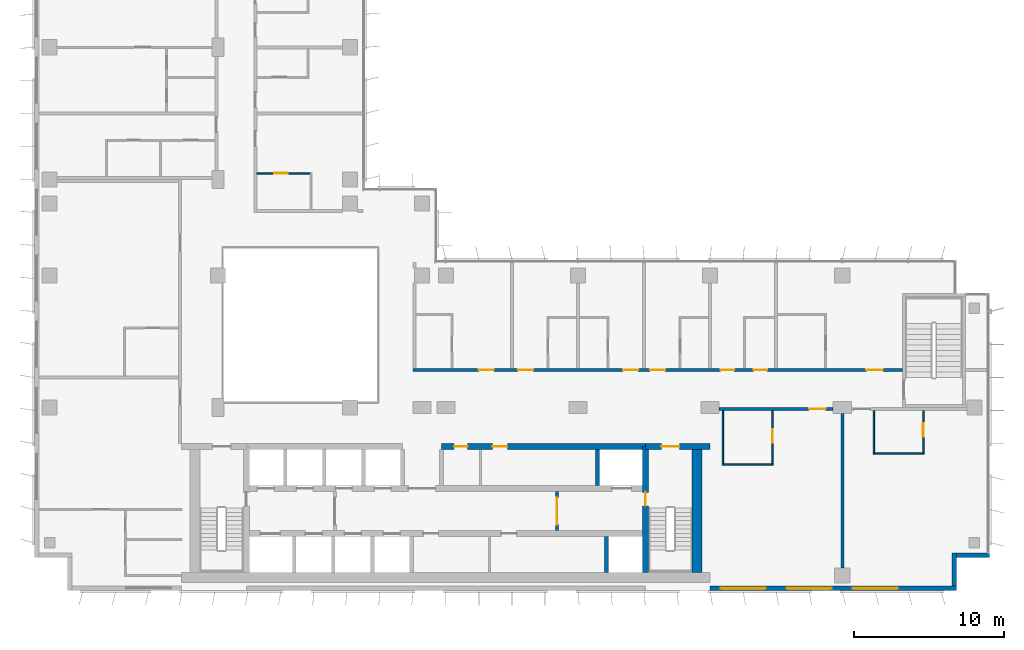
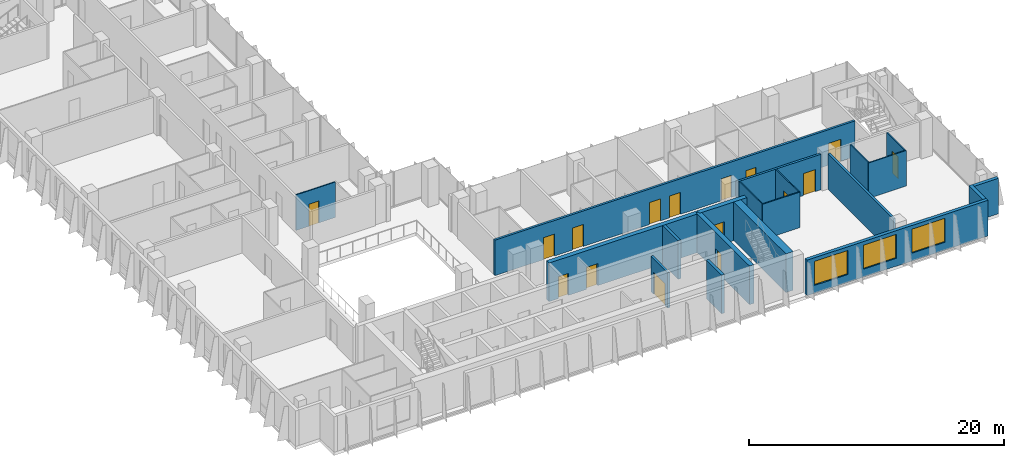
# One storey, part 14 of 21: 20 walls, 16 doors, 3 windows, 19 openings.
"""IFC4 building model written with IfcOpenShell, lengths in metres."""

from ifc_helpers import new_model, si_unit, direction, frame, frame_2d, origin, place, context, subcontext, project, spatial, rectangle, extrude, material, layer, layer_set, type_object, element, fill, save


model = new_model("IFC4")

# Units and contexts
model_context = context("Model", 3, precision=1e-05, world=origin(), true_north=direction((0.0, 1.0)))
body_context = subcontext(model_context, "Body", "Model", "MODEL_VIEW")
ifc_project = project(units=[si_unit("LENGTHUNIT", "METRE"), si_unit("AREAUNIT", "SQUARE_METRE"), si_unit("VOLUMEUNIT", "CUBIC_METRE"), si_unit("PLANEANGLEUNIT", "RADIAN"), si_unit("MASSUNIT", "GRAM", prefix="KILO")], contexts=[model_context])

# Site, building, storey
site_placement = place(None, origin())
site = spatial("IfcSite", under=ifc_project, at=site_placement, CompositionType="ELEMENT")
building_placement = place(site_placement, origin())
building = spatial("IfcBuilding", under=site, at=building_placement, Name="Kemantara Hotel Tower", CompositionType="ELEMENT")
storey_placement = place(building_placement, frame((0.0, 0.0, 167.89990234375)))
storey = spatial("IfcBuildingStorey", under=building, at=storey_placement, Name="L41", CompositionType="ELEMENT", Elevation=167.89990234375)

# Wall, openings, windows
ifc_material_1 = material(Name="Bronze anodised aluminium cladding on insulated steel stud wall", Category="steel")
ifc_layer_1 = layer(ifc_material_1, 0.300048828125)
ifc_layer_set_1 = layer_set([ifc_layer_1], Name="Bronze anodised aluminium cladding on insulated steel stud wall")
wall_type_1 = type_object("IfcWallType", Name="BRONZE METAL-CLAD EXTERNAL WALL 300", PredefinedType="STANDARD", material=ifc_layer_set_1)
wall_1_placement = place(storey_placement, frame((45.0, 0.14990234375, 0.0), z_axis=(0.0, 0.0, 1.0), x_axis=(1.0, 0.0, 0.0)))
wall_1 = element("IfcWall", 1, at=wall_1_placement, inside=storey, type_object=wall_type_1, Name="EXTERNAL WALL L41 T3-R08-3", PredefinedType="STANDARD", context=body_context, shape_type="SweptSolid", body=[
    extrude(rectangle(XDim=16.39990234375, YDim=0.300048828125, at=frame_2d((8.199951171875, 0.0))), origin(), (0.0, 0.0, 1.0), 3.400146484375),
])
opening_1_placement = place(wall_1_placement, frame((0.699951171875, 0.0, 0.75)))
opening_1 = element("IfcOpeningElement", 2, at=opening_1_placement, cuts=wall_1, Name="Opening W1", PredefinedType="OPENING", context=body_context, shape_type="SweptSolid", body=[
    extrude(rectangle(XDim=3.0, YDim=2.300048828125, at=frame_2d((1.5, 1.14990234375))), frame((0.0, 0.159912109375, 0.0), z_axis=(0.0, -1.0, 0.0), x_axis=(1.0, 0.0, 0.0)), (0.0, 0.0, 1.0), 0.320068359375),
])
opening_2_placement = place(wall_1_placement, frame((5.10009765625, 0.0, 0.75)))
opening_2 = element("IfcOpeningElement", 3, at=opening_2_placement, cuts=wall_1, Name="Opening W1", PredefinedType="OPENING", context=body_context, shape_type="SweptSolid", body=[
    extrude(rectangle(XDim=3.0, YDim=2.300048828125, at=frame_2d((1.5, 1.14990234375))), frame((0.0, 0.159912109375, 0.0), z_axis=(0.0, -1.0, 0.0), x_axis=(1.0, 0.0, 0.0)), (0.0, 0.0, 1.0), 0.320068359375),
])
opening_3_placement = place(wall_1_placement, frame((9.5, 0.0, 0.75)))
opening_3 = element("IfcOpeningElement", 4, at=opening_3_placement, cuts=wall_1, Name="Opening W1", PredefinedType="OPENING", context=body_context, shape_type="SweptSolid", body=[
    extrude(rectangle(XDim=3.0, YDim=2.300048828125, at=frame_2d((1.5, 1.14990234375))), frame((0.0, 0.159912109375, 0.0), z_axis=(0.0, -1.0, 0.0), x_axis=(1.0, 0.0, 0.0)), (0.0, 0.0, 1.0), 0.320068359375),
])
ifc_material_2 = material(Name="Low-E tinted double insulated glass in bronze anodised aluminium frame", Category="aluminium")
window_type = type_object("IfcWindowType", Name="CHICAGO WINDOW, TRIPLE PANEL 3000x2300", PartitioningType="TRIPLE_PANEL_VERTICAL", PredefinedType="WINDOW", material=ifc_material_2)
window_1_placement = place(opening_1_placement, origin())
window_1 = element("IfcWindow", 5, at=window_1_placement, inside=storey, type_object=window_type, Name="CHICAGO WINDOW L41 T3-R08-450", OverallHeight=2.300048828125, OverallWidth=3.0, PartitioningType="SINGLE_PANEL", PredefinedType="WINDOW", context=body_context, shape_type="SweptSolid", body=[
    extrude(rectangle(XDim=3.0, YDim=2.300048828125, at=frame_2d((1.5, 1.14990234375))), frame((0.0, 0.030029296875, 0.0), z_axis=(0.0, -1.0, 0.0), x_axis=(1.0, 0.0, 0.0)), (0.0, 0.0, 1.0), 0.06005859375),
])
fill(opening_1, window_1)
window_2_placement = place(opening_2_placement, origin())
window_2 = element("IfcWindow", 6, at=window_2_placement, inside=storey, type_object=window_type, Name="CHICAGO WINDOW L41 T3-R08-494", OverallHeight=2.300048828125, OverallWidth=3.0, PartitioningType="SINGLE_PANEL", PredefinedType="WINDOW", context=body_context, shape_type="SweptSolid", body=[
    extrude(rectangle(XDim=3.0, YDim=2.300048828125, at=frame_2d((1.5, 1.14990234375))), frame((0.0, 0.030029296875, 0.0), z_axis=(0.0, -1.0, 0.0), x_axis=(1.0, 0.0, 0.0)), (0.0, 0.0, 1.0), 0.06005859375),
])
fill(opening_2, window_2)
window_3_placement = place(opening_3_placement, origin())
window_3 = element("IfcWindow", 7, at=window_3_placement, inside=storey, type_object=window_type, Name="CHICAGO WINDOW L41 T3-R08-538", OverallHeight=2.300048828125, OverallWidth=3.0, PartitioningType="SINGLE_PANEL", PredefinedType="WINDOW", context=body_context, shape_type="SweptSolid", body=[
    extrude(rectangle(XDim=3.0, YDim=2.300048828125, at=frame_2d((1.5, 1.14990234375))), frame((0.0, 0.030029296875, 0.0), z_axis=(0.0, -1.0, 0.0), x_axis=(1.0, 0.0, 0.0)), (0.0, 0.0, 1.0), 0.06005859375),
])
fill(opening_3, window_3)

# Walls
wall_2_placement = place(storey_placement, frame((61.25, 0.300048828125, 0.0), z_axis=(0.0, 0.0, 1.0), x_axis=(0.0, 1.0, 0.0)))
element("IfcWall", 8, at=wall_2_placement, inside=storey, type_object=wall_type_1, Name="EXTERNAL WALL L41 T3-R09", PredefinedType="STANDARD", context=body_context, shape_type="SweptSolid", body=[
    extrude(rectangle(XDim=2.199951171875, YDim=0.300048828125, at=frame_2d((1.10009765625, 0.0))), origin(), (0.0, 0.0, 1.0), 3.400146484375),
])
wall_3_placement = place(storey_placement, frame((61.39990234375, 2.35009765625, 0.0), z_axis=(0.0, 0.0, 1.0), x_axis=(1.0, 0.0, 0.0)))
element("IfcWall", 9, at=wall_3_placement, inside=storey, type_object=wall_type_1, Name="EXTERNAL WALL L41 T3-R10", PredefinedType="STANDARD", context=body_context, shape_type="SweptSolid", body=[
    extrude(rectangle(XDim=2.2001953125, YDim=0.300048828125, at=frame_2d((1.10009765625, 0.0))), origin(), (0.0, 0.0, 1.0), 3.400146484375),
])
ifc_material_3 = material(Name="Concrete fc 60 MPa", Category="concrete")
ifc_layer_2 = layer(ifc_material_3, 0.25)
ifc_layer_set_2 = layer_set([ifc_layer_2], Name="Concrete fc 60 MPa")
wall_type_2 = type_object("IfcWallType", Name="CORE WALL 250 FC60", PredefinedType="SHEAR", material=ifc_layer_set_2)
wall_4_placement = place(storey_placement, frame((38.10009765625, 1.199951171875, 0.0), z_axis=(0.0, 0.0, 1.0), x_axis=(0.0, 1.0, 0.0)))
element("IfcWall", 10, at=wall_4_placement, inside=storey, type_object=wall_type_2, Name="CORE WALL CW-DS38.1", PredefinedType="SHEAR", context=body_context, shape_type="SweptSolid", body=[
    extrude(rectangle(XDim=2.400146484375, YDim=0.25, at=frame_2d((1.2001953125, 0.0))), origin(), (0.0, 0.0, 1.0), 3.7001953125),
])
wall_5_placement = place(storey_placement, frame((37.5, 7.0, 0.0), z_axis=(0.0, 0.0, 1.0), x_axis=(0.0, 1.0, 0.0)))
element("IfcWall", 11, at=wall_5_placement, inside=storey, type_object=wall_type_2, Name="CORE WALL CW-DN37.5", PredefinedType="SHEAR", context=body_context, shape_type="SweptSolid", body=[
    extrude(rectangle(XDim=2.39990234375, YDim=0.25, at=frame_2d((1.199951171875, 0.0))), origin(), (0.0, 0.0, 1.0), 3.7001953125),
])

# Wall, opening, door
ifc_layer_3 = layer(ifc_material_3, 0.39990234375)
ifc_layer_set_3 = layer_set([ifc_layer_3], Name="Concrete fc 60 MPa")
wall_type_3 = type_object("IfcWallType", Name="CORE WALL 400 FC60", PredefinedType="SHEAR", material=ifc_layer_set_3)
wall_6_placement = place(storey_placement, frame((40.699951171875, 9.60009765625, 0.0), z_axis=(0.0, 0.0, 1.0), x_axis=(1.0, 0.0, 0.0)))
wall_6 = element("IfcWall", 12, at=wall_6_placement, inside=storey, type_object=wall_type_3, Name="CORE WALL CW-N2", PredefinedType="SHEAR", context=body_context, shape_type="SweptSolid", body=[
    extrude(rectangle(XDim=4.300048828125, YDim=0.39990234375, at=frame_2d((2.14990234375, 0.0))), origin(), (0.0, 0.0, 1.0), 3.7001953125),
])
opening_4_placement = place(wall_6_placement, frame((1.050048828125, 0.0, 0.0)))
opening_4 = element("IfcOpeningElement", 13, at=opening_4_placement, cuts=wall_6, Name="Opening C26-ST2-C", PredefinedType="OPENING", context=body_context, shape_type="SweptSolid", body=[
    extrude(rectangle(XDim=1.199951171875, YDim=2.10009765625, at=frame_2d((0.60009765625, 1.050048828125))), frame((0.0, 0.2099609375, 0.0), z_axis=(0.0, -1.0, 0.0), x_axis=(1.0, 0.0, 0.0)), (0.0, 0.0, 1.0), 0.419921875),
])
ifc_material_4 = material(Name="Steel fire door", Category="steel")
door_type_1 = type_object("IfcDoorType", Name="Fire door FD90 1200 x 2100", OperationType="NOTDEFINED", PredefinedType="DOOR", material=ifc_material_4)
door_1_placement = place(opening_4_placement, frame((1.199951171875, 0.0, 0.0), z_axis=(0.0, 0.0, 1.0), x_axis=(-1.0, 0.0, 0.0)))
door_1 = element("IfcDoor", 14, at=door_1_placement, inside=storey, type_object=door_type_1, Name="Stair ST2 door to corridor", OperationType="SINGLE_SWING_RIGHT", OverallHeight=2.10009765625, OverallWidth=1.199951171875, PredefinedType="DOOR", context=body_context, shape_type="SweptSolid", body=[
    extrude(rectangle(XDim=1.199951171875, YDim=2.10009765625, at=frame_2d((0.60009765625, 1.050048828125))), frame((0.0, 0.02490234375, 0.0), z_axis=(0.0, -1.0, 0.0), x_axis=(1.0, 0.0, 0.0)), (0.0, 0.0, 1.0), 0.050048828125),
])
fill(opening_4, door_1)

# Wall, openings, doors
wall_7_placement = place(storey_placement, frame((27.10009765625, 9.60009765625, 0.0), z_axis=(0.0, 0.0, 1.0), x_axis=(1.0, 0.0, 0.0)))
wall_7 = element("IfcWall", 15, at=wall_7_placement, inside=storey, type_object=wall_type_3, Name="CORE WALL CW-NN2", PredefinedType="SHEAR", context=body_context, shape_type="SweptSolid", body=[
    extrude(rectangle(XDim=13.599853515625, YDim=0.39990234375, at=frame_2d((6.7998046875, 0.0))), origin(), (0.0, 0.0, 1.0), 3.7001953125),
])
opening_5_placement = place(wall_7_placement, frame((0.85009765625, 0.0, 0.0)))
opening_5 = element("IfcOpeningElement", 16, at=opening_5_placement, cuts=wall_7, Name="Opening C26-R-NE1", PredefinedType="OPENING", context=body_context, shape_type="SweptSolid", body=[
    extrude(rectangle(XDim=0.89990234375, YDim=2.10009765625, at=frame_2d((0.449951171875, 1.050048828125))), frame((0.0, 0.2099609375, 0.0), z_axis=(0.0, -1.0, 0.0), x_axis=(1.0, 0.0, 0.0)), (0.0, 0.0, 1.0), 0.419921875),
])
opening_6_placement = place(wall_7_placement, frame((3.39990234375, 0.0, 0.0)))
opening_6 = element("IfcOpeningElement", 17, at=opening_6_placement, cuts=wall_7, Name="Opening C26-R-NE2", PredefinedType="OPENING", context=body_context, shape_type="SweptSolid", body=[
    extrude(rectangle(XDim=1.0, YDim=2.10009765625, at=frame_2d((0.5, 1.050048828125))), frame((0.0, 0.2099609375, 0.0), z_axis=(0.0, -1.0, 0.0), x_axis=(1.0, 0.0, 0.0)), (0.0, 0.0, 1.0), 0.419921875),
])
door_type_2 = type_object("IfcDoorType", Name="Fire door FD30S 1000 x 2100", OperationType="NOTDEFINED", PredefinedType="DOOR", material=ifc_material_4)
door_2_placement = place(opening_6_placement, frame((1.0, 0.0, 0.0), z_axis=(0.0, 0.0, 1.0), x_axis=(-1.0, 0.0, 0.0)))
door_2 = element("IfcDoor", 18, at=door_2_placement, inside=storey, type_object=door_type_2, Name="Linen Store door", OperationType="SINGLE_SWING_RIGHT", OverallHeight=2.10009765625, OverallWidth=1.0, PredefinedType="DOOR", context=body_context, shape_type="SweptSolid", body=[
    extrude(rectangle(XDim=1.0, YDim=2.10009765625, at=frame_2d((0.5, 1.050048828125))), frame((0.0, 0.02490234375, 0.0), z_axis=(0.0, -1.0, 0.0), x_axis=(1.0, 0.0, 0.0)), (0.0, 0.0, 1.0), 0.050048828125),
])
fill(opening_6, door_2)
door_type_3 = type_object("IfcDoorType", Name="Fire door FD30S 900 x 2100", OperationType="NOTDEFINED", PredefinedType="DOOR", material=ifc_material_4)
door_3_placement = place(opening_5_placement, frame((0.89990234375, 0.0, 0.0), z_axis=(0.0, 0.0, 1.0), x_axis=(-1.0, 0.0, 0.0)))
door_3 = element("IfcDoor", 19, at=door_3_placement, inside=storey, type_object=door_type_3, Name="Staff Wc door", OperationType="SINGLE_SWING_RIGHT", OverallHeight=2.10009765625, OverallWidth=0.89990234375, PredefinedType="DOOR", context=body_context, shape_type="SweptSolid", body=[
    extrude(rectangle(XDim=0.89990234375, YDim=2.10009765625, at=frame_2d((0.449951171875, 1.050048828125))), frame((0.0, 0.02490234375, 0.0), z_axis=(0.0, -1.0, 0.0), x_axis=(1.0, 0.0, 0.0)), (0.0, 0.0, 1.0), 0.050048828125),
])
fill(opening_5, door_3)

# Wall, opening, door
wall_8_placement = place(storey_placement, frame((40.699951171875, 1.199951171875, 0.0), z_axis=(0.0, 0.0, 1.0), x_axis=(0.0, 1.0, 0.0)))
wall_8 = element("IfcWall", 20, at=wall_8_placement, inside=storey, type_object=wall_type_3, Name="CORE WALL CW-ST2W", PredefinedType="SHEAR", context=body_context, shape_type="SweptSolid", body=[
    extrude(rectangle(XDim=8.400146484375, YDim=0.39990234375, at=frame_2d((4.2001953125, 0.0))), origin(), (0.0, 0.0, 1.0), 3.7001953125),
])
opening_7_placement = place(wall_8_placement, frame((4.449951171875, 0.0, 0.0)))
opening_7 = element("IfcOpeningElement", 21, at=opening_7_placement, cuts=wall_8, Name="Opening C26-ST2-F", PredefinedType="OPENING", context=body_context, shape_type="SweptSolid", body=[
    extrude(rectangle(XDim=0.89990234375, YDim=2.10009765625, at=frame_2d((0.449951171875, 1.050048828125))), frame((0.0, 0.2099609375, 0.0), z_axis=(0.0, -1.0, 0.0), x_axis=(1.0, 0.0, 0.0)), (0.0, 0.0, 1.0), 0.419921875),
])
door_type_4 = type_object("IfcDoorType", Name="Fire door FD90 900 x 2100", OperationType="NOTDEFINED", PredefinedType="DOOR", material=ifc_material_4)
door_4_placement = place(opening_7_placement, frame((0.89990234375, 0.0, 0.0), z_axis=(0.0, 0.0, 1.0), x_axis=(-1.0, 0.0, 0.0)))
door_4 = element("IfcDoor", 22, at=door_4_placement, inside=storey, type_object=door_type_4, Name="Stair ST2 door to firefighting lobby", OperationType="SINGLE_SWING_LEFT", OverallHeight=2.10009765625, OverallWidth=0.89990234375, PredefinedType="DOOR", context=body_context, shape_type="SweptSolid", body=[
    extrude(rectangle(XDim=0.89990234375, YDim=2.10009765625, at=frame_2d((0.449951171875, 1.050048828125))), frame((0.0, 0.02490234375, 0.0), z_axis=(0.0, -1.0, 0.0), x_axis=(1.0, 0.0, 0.0)), (0.0, 0.0, 1.0), 0.050048828125),
])
fill(opening_7, door_4)

# Wall
ifc_layer_4 = layer(ifc_material_3, 0.64990234375)
ifc_layer_set_4 = layer_set([ifc_layer_4], Name="Concrete fc 60 MPa")
wall_type_4 = type_object("IfcWallType", Name="CORE WALL 650 FC60", PredefinedType="SHEAR", material=ifc_layer_set_4)
wall_9_placement = place(storey_placement, frame((44.125, 1.199951171875, 0.0), z_axis=(0.0, 0.0, 1.0), x_axis=(0.0, 1.0, 0.0)))
element("IfcWall", 23, at=wall_9_placement, inside=storey, type_object=wall_type_4, Name="CORE WALL CW-E", PredefinedType="SHEAR", context=body_context, shape_type="SweptSolid", body=[
    extrude(rectangle(XDim=8.60009765625, YDim=0.64990234375, at=frame_2d((4.300048828125, 0.0))), origin(), (0.0, 0.0, 1.0), 3.7001953125),
])

# Wall, opening, door
ifc_material_5 = material(Name="Gypsum board partition, steel studs and mineral wool, 200 mm", Category="steel")
ifc_layer_5 = layer(ifc_material_5, 0.199951171875)
ifc_layer_set_5 = layer_set([ifc_layer_5], Name="Gypsum board partition, steel studs and mineral wool, 200 mm")
wall_type_5 = type_object("IfcWallType", Name="CORRIDOR WALL 200", PredefinedType="PARTITIONING", material=ifc_layer_set_5)
wall_10_placement = place(storey_placement, frame((53.199951171875, 12.10009765625, 0.0), z_axis=(0.0, 0.0, 1.0), x_axis=(-1.0, 0.0, 0.0)))
wall_10 = element("IfcWall", 24, at=wall_10_placement, inside=storey, type_object=wall_type_5, Name="CORRIDOR WALL 200 001", PredefinedType="PARTITIONING", context=body_context, shape_type="SweptSolid", body=[
    extrude(rectangle(XDim=7.599853515625, YDim=0.199951171875, at=frame_2d((3.7998046875, 0.0))), origin(), (0.0, 0.0, 1.0), 3.400146484375),
])
opening_8_placement = place(wall_10_placement, frame((0.5, 0.0, 0.0)))
opening_8 = element("IfcOpeningElement", 25, at=opening_8_placement, cuts=wall_10, Name="Opening F19-001", PredefinedType="OPENING", context=body_context, shape_type="SweptSolid", body=[
    extrude(rectangle(XDim=1.10009765625, YDim=2.10009765625, at=frame_2d((0.550048828125, 1.050048828125))), frame((0.0, 0.10986328125, 0.0), z_axis=(0.0, -1.0, 0.0), x_axis=(1.0, 0.0, 0.0)), (0.0, 0.0, 1.0), 0.219970703125),
])
ifc_material_6 = material(Name="Hardwood veneer door leaf with steel frame", Category="steel")
door_type_5 = type_object("IfcDoorType", Name="SUITE ENTRANCE DOOR 1100 X 2100 FD30S", OperationType="NOTDEFINED", PredefinedType="DOOR", material=ifc_material_6)
door_5_placement = place(opening_8_placement, origin())
door_5 = element("IfcDoor", 26, at=door_5_placement, inside=storey, type_object=door_type_5, Name="SUITE ENTRANCE DOOR F19-001", OperationType="SINGLE_SWING_LEFT", OverallHeight=2.10009765625, OverallWidth=1.10009765625, PredefinedType="DOOR", context=body_context, shape_type="SweptSolid", body=[
    extrude(rectangle(XDim=1.10009765625, YDim=2.10009765625, at=frame_2d((0.550048828125, 1.050048828125))), frame((0.0, 0.02490234375, 0.0), z_axis=(0.0, -1.0, 0.0), x_axis=(1.0, 0.0, 0.0)), (0.0, 0.0, 1.0), 0.050048828125),
])
fill(opening_8, door_5)

# Wall, openings, doors
wall_11_placement = place(storey_placement, frame((25.199951171875, 14.699951171875, 0.0), z_axis=(0.0, 0.0, 1.0), x_axis=(1.0, 0.0, 0.0)))
wall_11 = element("IfcWall", 27, at=wall_11_placement, inside=storey, type_object=wall_type_5, Name="CORRIDOR WALL 200 004", PredefinedType="PARTITIONING", context=body_context, shape_type="SweptSolid", body=[
    extrude(rectangle(XDim=32.60009765625, YDim=0.199951171875, at=frame_2d((16.300048828125, 0.0))), origin(), (0.0, 0.0, 1.0), 3.400146484375),
])
opening_9_placement = place(wall_11_placement, frame((4.39990234375, 0.0, 0.0)))
opening_9 = element("IfcOpeningElement", 28, at=opening_9_placement, cuts=wall_11, Name="Opening F19-005", PredefinedType="OPENING", context=body_context, shape_type="SweptSolid", body=[
    extrude(rectangle(XDim=1.0, YDim=2.10009765625, at=frame_2d((0.5, 1.050048828125))), frame((0.0, 0.10986328125, 0.0), z_axis=(0.0, -1.0, 0.0), x_axis=(1.0, 0.0, 0.0)), (0.0, 0.0, 1.0), 0.219970703125),
])
opening_10_placement = place(wall_11_placement, frame((7.0, 0.0, 0.0)))
opening_10 = element("IfcOpeningElement", 29, at=opening_10_placement, cuts=wall_11, Name="Opening F19-007", PredefinedType="OPENING", context=body_context, shape_type="SweptSolid", body=[
    extrude(rectangle(XDim=1.0, YDim=2.10009765625, at=frame_2d((0.5, 1.050048828125))), frame((0.0, 0.10986328125, 0.0), z_axis=(0.0, -1.0, 0.0), x_axis=(1.0, 0.0, 0.0)), (0.0, 0.0, 1.0), 0.219970703125),
])
opening_11_placement = place(wall_11_placement, frame((14.0, 0.0, 0.0)))
opening_11 = element("IfcOpeningElement", 30, at=opening_11_placement, cuts=wall_11, Name="Opening F19-009", PredefinedType="OPENING", context=body_context, shape_type="SweptSolid", body=[
    extrude(rectangle(XDim=1.0, YDim=2.10009765625, at=frame_2d((0.5, 1.050048828125))), frame((0.0, 0.10986328125, 0.0), z_axis=(0.0, -1.0, 0.0), x_axis=(1.0, 0.0, 0.0)), (0.0, 0.0, 1.0), 0.219970703125),
])
opening_12_placement = place(wall_11_placement, frame((15.800048828125, 0.0, 0.0)))
opening_12 = element("IfcOpeningElement", 31, at=opening_12_placement, cuts=wall_11, Name="Opening F19-011", PredefinedType="OPENING", context=body_context, shape_type="SweptSolid", body=[
    extrude(rectangle(XDim=1.0, YDim=2.10009765625, at=frame_2d((0.5, 1.050048828125))), frame((0.0, 0.10986328125, 0.0), z_axis=(0.0, -1.0, 0.0), x_axis=(1.0, 0.0, 0.0)), (0.0, 0.0, 1.0), 0.219970703125),
])
opening_13_placement = place(wall_11_placement, frame((20.5, 0.0, 0.0)))
opening_13 = element("IfcOpeningElement", 32, at=opening_13_placement, cuts=wall_11, Name="Opening F19-013", PredefinedType="OPENING", context=body_context, shape_type="SweptSolid", body=[
    extrude(rectangle(XDim=0.89990234375, YDim=2.10009765625, at=frame_2d((0.449951171875, 1.050048828125))), frame((0.0, 0.10986328125, 0.0), z_axis=(0.0, -1.0, 0.0), x_axis=(1.0, 0.0, 0.0)), (0.0, 0.0, 1.0), 0.219970703125),
])
opening_14_placement = place(wall_11_placement, frame((22.699951171875, 0.0, 0.0)))
opening_14 = element("IfcOpeningElement", 33, at=opening_14_placement, cuts=wall_11, Name="Opening F19-014", PredefinedType="OPENING", context=body_context, shape_type="SweptSolid", body=[
    extrude(rectangle(XDim=0.89990234375, YDim=2.10009765625, at=frame_2d((0.449951171875, 1.050048828125))), frame((0.0, 0.10986328125, 0.0), z_axis=(0.0, -1.0, 0.0), x_axis=(1.0, 0.0, 0.0)), (0.0, 0.0, 1.0), 0.219970703125),
])
opening_15_placement = place(wall_11_placement, frame((30.199951171875, 0.0, 0.0)))
opening_15 = element("IfcOpeningElement", 34, at=opening_15_placement, cuts=wall_11, Name="Opening F19-015", PredefinedType="OPENING", context=body_context, shape_type="SweptSolid", body=[
    extrude(rectangle(XDim=1.10009765625, YDim=2.10009765625, at=frame_2d((0.550048828125, 1.050048828125))), frame((0.0, 0.10986328125, 0.0), z_axis=(0.0, -1.0, 0.0), x_axis=(1.0, 0.0, 0.0)), (0.0, 0.0, 1.0), 0.219970703125),
])
door_type_6 = type_object("IfcDoorType", Name="GUEST ROOM DOOR 1000 X 2100 FD30S", OperationType="NOTDEFINED", PredefinedType="DOOR", material=ifc_material_6)
door_6_placement = place(opening_9_placement, origin())
door_6 = element("IfcDoor", 35, at=door_6_placement, inside=storey, type_object=door_type_6, Name="GUEST ROOM DOOR F19-005", OperationType="SINGLE_SWING_RIGHT", OverallHeight=2.10009765625, OverallWidth=1.0, PredefinedType="DOOR", context=body_context, shape_type="SweptSolid", body=[
    extrude(rectangle(XDim=1.0, YDim=2.10009765625, at=frame_2d((0.5, 1.050048828125))), frame((0.0, 0.02490234375, 0.0), z_axis=(0.0, -1.0, 0.0), x_axis=(1.0, 0.0, 0.0)), (0.0, 0.0, 1.0), 0.050048828125),
])
fill(opening_9, door_6)
door_7_placement = place(opening_10_placement, origin())
door_7 = element("IfcDoor", 36, at=door_7_placement, inside=storey, type_object=door_type_6, Name="GUEST ROOM DOOR F19-007", OperationType="SINGLE_SWING_LEFT", OverallHeight=2.10009765625, OverallWidth=1.0, PredefinedType="DOOR", context=body_context, shape_type="SweptSolid", body=[
    extrude(rectangle(XDim=1.0, YDim=2.10009765625, at=frame_2d((0.5, 1.050048828125))), frame((0.0, 0.02490234375, 0.0), z_axis=(0.0, -1.0, 0.0), x_axis=(1.0, 0.0, 0.0)), (0.0, 0.0, 1.0), 0.050048828125),
])
fill(opening_10, door_7)
door_8_placement = place(opening_11_placement, origin())
door_8 = element("IfcDoor", 37, at=door_8_placement, inside=storey, type_object=door_type_6, Name="GUEST ROOM DOOR F19-009", OperationType="SINGLE_SWING_RIGHT", OverallHeight=2.10009765625, OverallWidth=1.0, PredefinedType="DOOR", context=body_context, shape_type="SweptSolid", body=[
    extrude(rectangle(XDim=1.0, YDim=2.10009765625, at=frame_2d((0.5, 1.050048828125))), frame((0.0, 0.02490234375, 0.0), z_axis=(0.0, -1.0, 0.0), x_axis=(1.0, 0.0, 0.0)), (0.0, 0.0, 1.0), 0.050048828125),
])
fill(opening_11, door_8)
door_9_placement = place(opening_12_placement, origin())
door_9 = element("IfcDoor", 38, at=door_9_placement, inside=storey, type_object=door_type_6, Name="GUEST ROOM DOOR F19-011", OperationType="SINGLE_SWING_LEFT", OverallHeight=2.10009765625, OverallWidth=1.0, PredefinedType="DOOR", context=body_context, shape_type="SweptSolid", body=[
    extrude(rectangle(XDim=1.0, YDim=2.10009765625, at=frame_2d((0.5, 1.050048828125))), frame((0.0, 0.02490234375, 0.0), z_axis=(0.0, -1.0, 0.0), x_axis=(1.0, 0.0, 0.0)), (0.0, 0.0, 1.0), 0.050048828125),
])
fill(opening_12, door_9)
ifc_material_7 = material(Name="Steel door leaf with steel frame", Category="steel")
door_type_7 = type_object("IfcDoorType", Name="SERVICE ROOM DOOR 900 X 2100 FD60", OperationType="NOTDEFINED", PredefinedType="DOOR", material=ifc_material_7)
door_10_placement = place(opening_13_placement, origin())
door_10 = element("IfcDoor", 39, at=door_10_placement, inside=storey, type_object=door_type_7, Name="SERVICE ROOM DOOR F19-013", OperationType="SINGLE_SWING_LEFT", OverallHeight=2.10009765625, OverallWidth=0.89990234375, PredefinedType="DOOR", context=body_context, shape_type="SweptSolid", body=[
    extrude(rectangle(XDim=0.89990234375, YDim=2.10009765625, at=frame_2d((0.449951171875, 1.050048828125))), frame((0.0, 0.02490234375, 0.0), z_axis=(0.0, -1.0, 0.0), x_axis=(1.0, 0.0, 0.0)), (0.0, 0.0, 1.0), 0.050048828125),
])
fill(opening_13, door_10)
door_11_placement = place(opening_14_placement, origin())
door_11 = element("IfcDoor", 40, at=door_11_placement, inside=storey, type_object=door_type_7, Name="SERVICE ROOM DOOR F19-014", OperationType="SINGLE_SWING_RIGHT", OverallHeight=2.10009765625, OverallWidth=0.89990234375, PredefinedType="DOOR", context=body_context, shape_type="SweptSolid", body=[
    extrude(rectangle(XDim=0.89990234375, YDim=2.10009765625, at=frame_2d((0.449951171875, 1.050048828125))), frame((0.0, 0.02490234375, 0.0), z_axis=(0.0, -1.0, 0.0), x_axis=(1.0, 0.0, 0.0)), (0.0, 0.0, 1.0), 0.050048828125),
])
fill(opening_14, door_11)
door_12_placement = place(opening_15_placement, origin())
door_12 = element("IfcDoor", 41, at=door_12_placement, inside=storey, type_object=door_type_5, Name="SUITE ENTRANCE DOOR F19-015", OperationType="SINGLE_SWING_RIGHT", OverallHeight=2.10009765625, OverallWidth=1.10009765625, PredefinedType="DOOR", context=body_context, shape_type="SweptSolid", body=[
    extrude(rectangle(XDim=1.10009765625, YDim=2.10009765625, at=frame_2d((0.550048828125, 1.050048828125))), frame((0.0, 0.02490234375, 0.0), z_axis=(0.0, -1.0, 0.0), x_axis=(1.0, 0.0, 0.0)), (0.0, 0.0, 1.0), 0.050048828125),
])
fill(opening_15, door_12)

# Wall
ifc_layer_6 = layer(ifc_material_5, 0.199951171875)
ifc_layer_set_6 = layer_set([ifc_layer_6], Name="Gypsum board partition, steel studs and mineral wool, 200 mm")
wall_type_6 = type_object("IfcWallType", Name="GUEST ROOM PARTY WALL 200", PredefinedType="PARTITIONING", material=ifc_layer_set_6)
wall_12_placement = place(storey_placement, frame((53.800048828125, 1.5, 0.0), z_axis=(0.0, 0.0, 1.0), x_axis=(0.0, 1.0, 0.0)))
element("IfcWall", 42, at=wall_12_placement, inside=storey, type_object=wall_type_6, Name="GUEST ROOM PARTY WALL 200 003", PredefinedType="PARTITIONING", context=body_context, shape_type="SweptSolid", body=[
    extrude(rectangle(XDim=10.2998046875, YDim=0.199951171875, at=frame_2d((5.14990234375, 0.0))), origin(), (0.0, 0.0, 1.0), 3.400146484375),
])

# Wall, opening, door
ifc_material_8 = material(Name="Gypsum board shaft wall")
ifc_layer_7 = layer(ifc_material_8, 0.199951171875)
ifc_layer_set_7 = layer_set([ifc_layer_7], Name="Gypsum board shaft wall")
wall_type_7 = type_object("IfcWallType", Name="Gypsum board shaft wall 200 mm", PredefinedType="PARTITIONING", material=ifc_layer_set_7)
wall_13_placement = place(storey_placement, frame((34.800048828125, 4.0, 0.0), z_axis=(0.0, 0.0, 1.0), x_axis=(0.0, 1.0, 0.0)))
wall_13 = element("IfcWall", 43, at=wall_13_placement, inside=storey, type_object=wall_type_7, Name="Firefighting lobby partition east", PredefinedType="PARTITIONING", context=body_context, shape_type="SweptSolid", body=[
    extrude(rectangle(XDim=2.60009765625, YDim=0.199951171875, at=frame_2d((1.300048828125, 0.0))), origin(), (0.0, 0.0, 1.0), 3.400146484375),
])
opening_16_placement = place(wall_13_placement, frame((0.39990234375, 0.0, 0.0)))
opening_16 = element("IfcOpeningElement", 44, at=opening_16_placement, cuts=wall_13, Name="Opening C26-FFE", PredefinedType="OPENING", context=body_context, shape_type="SweptSolid", body=[
    extrude(rectangle(XDim=1.800048828125, YDim=2.10009765625, at=frame_2d((0.89990234375, 1.050048828125))), frame((0.0, 0.10986328125, 0.0), z_axis=(0.0, -1.0, 0.0), x_axis=(1.0, 0.0, 0.0)), (0.0, 0.0, 1.0), 0.219970703125),
])
door_type_8 = type_object("IfcDoorType", Name="Fire door pair FD60 1800 x 2100", OperationType="DOUBLE_DOOR_SINGLE_SWING", PredefinedType="DOOR", material=ifc_material_4)
door_13_placement = place(opening_16_placement, frame((1.800048828125, 0.0, 0.0), z_axis=(0.0, 0.0, 1.0), x_axis=(-1.0, 0.0, 0.0)))
door_13 = element("IfcDoor", 45, at=door_13_placement, inside=storey, type_object=door_type_8, Name="Firefighting lobby door east", OperationType="DOUBLE_DOOR_SINGLE_SWING", OverallHeight=2.10009765625, OverallWidth=1.800048828125, PredefinedType="DOOR", context=body_context, shape_type="SweptSolid", body=[
    extrude(rectangle(XDim=1.800048828125, YDim=2.10009765625, at=frame_2d((0.89990234375, 1.050048828125))), frame((0.0, 0.02490234375, 0.0), z_axis=(0.0, -1.0, 0.0), x_axis=(1.0, 0.0, 0.0)), (0.0, 0.0, 1.0), 0.050048828125),
])
fill(opening_16, door_13)

# Walls
ifc_material_9 = material(Name="Gypsum board partition on steel studs, 100 mm", Category="steel")
ifc_layer_8 = layer(ifc_material_9, 0.10009765625)
ifc_layer_set_8 = layer_set([ifc_layer_8], Name="Gypsum board partition on steel studs, 100 mm")
wall_type_8 = type_object("IfcWallType", Name="ROOM PARTITION 100", PredefinedType="PARTITIONING", material=ifc_layer_set_8)
wall_14_placement = place(storey_placement, frame((45.800048828125, 8.39990234375, 0.0), z_axis=(0.0, 0.0, 1.0), x_axis=(1.0, 0.0, 0.0)))
element("IfcWall", 46, at=wall_14_placement, inside=storey, type_object=wall_type_8, Name="ROOM PARTITION 100 031", PredefinedType="PARTITIONING", context=body_context, shape_type="SweptSolid", body=[
    extrude(rectangle(XDim=3.39990234375, YDim=0.10009765625, at=frame_2d((1.699951171875, 0.0))), origin(), (0.0, 0.0, 1.0), 3.400146484375),
])
wall_15_placement = place(storey_placement, frame((45.85009765625, 8.449951171875, 0.0), z_axis=(0.0, 0.0, 1.0), x_axis=(0.0, 1.0, 0.0)))
element("IfcWall", 47, at=wall_15_placement, inside=storey, type_object=wall_type_8, Name="ROOM PARTITION 100 032", PredefinedType="PARTITIONING", context=body_context, shape_type="SweptSolid", body=[
    extrude(rectangle(XDim=3.550048828125, YDim=0.10009765625, at=frame_2d((1.77490234375, 0.0))), origin(), (0.0, 0.0, 1.0), 3.400146484375),
])

# Wall, opening, door
wall_16_placement = place(storey_placement, frame((49.14990234375, 8.449951171875, 0.0), z_axis=(0.0, 0.0, 1.0), x_axis=(0.0, 1.0, 0.0)))
wall_16 = element("IfcWall", 48, at=wall_16_placement, inside=storey, type_object=wall_type_8, Name="ROOM PARTITION 100 033", PredefinedType="PARTITIONING", context=body_context, shape_type="SweptSolid", body=[
    extrude(rectangle(XDim=3.550048828125, YDim=0.10009765625, at=frame_2d((1.77490234375, 0.0))), origin(), (0.0, 0.0, 1.0), 3.400146484375),
])
opening_17_placement = place(wall_16_placement, frame((1.39990234375, 0.0, 0.0)))
opening_17 = element("IfcOpeningElement", 49, at=opening_17_placement, cuts=wall_16, Name="Opening F19-002", PredefinedType="OPENING", context=body_context, shape_type="SweptSolid", body=[
    extrude(rectangle(XDim=0.89990234375, YDim=2.10009765625, at=frame_2d((0.449951171875, 1.050048828125))), frame((0.0, 0.06005859375, 0.0), z_axis=(0.0, -1.0, 0.0), x_axis=(1.0, 0.0, 0.0)), (0.0, 0.0, 1.0), 0.1201171875),
])
door_type_9 = type_object("IfcDoorType", Name="BATHROOM DOOR 900 X 2100", OperationType="NOTDEFINED", PredefinedType="DOOR", material=ifc_material_6)
door_14_placement = place(opening_17_placement, origin())
door_14 = element("IfcDoor", 50, at=door_14_placement, inside=storey, type_object=door_type_9, Name="BATHROOM DOOR F19-002", OperationType="SINGLE_SWING_RIGHT", OverallHeight=2.10009765625, OverallWidth=0.89990234375, PredefinedType="DOOR", context=body_context, shape_type="SweptSolid", body=[
    extrude(rectangle(XDim=0.89990234375, YDim=2.10009765625, at=frame_2d((0.449951171875, 1.050048828125))), frame((0.0, 0.02490234375, 0.0), z_axis=(0.0, -1.0, 0.0), x_axis=(1.0, 0.0, 0.0)), (0.0, 0.0, 1.0), 0.050048828125),
])
fill(opening_17, door_14)

# Walls
wall_17_placement = place(storey_placement, frame((55.85009765625, 9.14990234375, 0.0), z_axis=(0.0, 0.0, 1.0), x_axis=(1.0, 0.0, 0.0)))
element("IfcWall", 51, at=wall_17_placement, inside=storey, type_object=wall_type_8, Name="ROOM PARTITION 100 034", PredefinedType="PARTITIONING", context=body_context, shape_type="SweptSolid", body=[
    extrude(rectangle(XDim=3.39990234375, YDim=0.10009765625, at=frame_2d((1.699951171875, 0.0))), origin(), (0.0, 0.0, 1.0), 3.400146484375),
])
wall_18_placement = place(storey_placement, frame((55.89990234375, 9.199951171875, 0.0), z_axis=(0.0, 0.0, 1.0), x_axis=(0.0, 1.0, 0.0)))
element("IfcWall", 52, at=wall_18_placement, inside=storey, type_object=wall_type_8, Name="ROOM PARTITION 100 035", PredefinedType="PARTITIONING", context=body_context, shape_type="SweptSolid", body=[
    extrude(rectangle(XDim=2.800048828125, YDim=0.10009765625, at=frame_2d((1.39990234375, 0.0))), origin(), (0.0, 0.0, 1.0), 3.400146484375),
])

# Wall, opening, door
wall_19_placement = place(storey_placement, frame((59.199951171875, 9.199951171875, 0.0), z_axis=(0.0, 0.0, 1.0), x_axis=(0.0, 1.0, 0.0)))
wall_19 = element("IfcWall", 53, at=wall_19_placement, inside=storey, type_object=wall_type_8, Name="ROOM PARTITION 100 036", PredefinedType="PARTITIONING", context=body_context, shape_type="SweptSolid", body=[
    extrude(rectangle(XDim=2.800048828125, YDim=0.10009765625, at=frame_2d((1.39990234375, 0.0))), origin(), (0.0, 0.0, 1.0), 3.400146484375),
])
opening_18_placement = place(wall_19_placement, frame((1.050048828125, 0.0, 0.0)))
opening_18 = element("IfcOpeningElement", 54, at=opening_18_placement, cuts=wall_19, Name="Opening F19-004", PredefinedType="OPENING", context=body_context, shape_type="SweptSolid", body=[
    extrude(rectangle(XDim=0.89990234375, YDim=2.10009765625, at=frame_2d((0.449951171875, 1.050048828125))), frame((0.0, 0.06005859375, 0.0), z_axis=(0.0, -1.0, 0.0), x_axis=(1.0, 0.0, 0.0)), (0.0, 0.0, 1.0), 0.1201171875),
])
door_15_placement = place(opening_18_placement, origin())
door_15 = element("IfcDoor", 55, at=door_15_placement, inside=storey, type_object=door_type_9, Name="BATHROOM DOOR F19-004", OperationType="SINGLE_SWING_RIGHT", OverallHeight=2.10009765625, OverallWidth=0.89990234375, PredefinedType="DOOR", context=body_context, shape_type="SweptSolid", body=[
    extrude(rectangle(XDim=0.89990234375, YDim=2.10009765625, at=frame_2d((0.449951171875, 1.050048828125))), frame((0.0, 0.02490234375, 0.0), z_axis=(0.0, -1.0, 0.0), x_axis=(1.0, 0.0, 0.0)), (0.0, 0.0, 1.0), 0.050048828125),
])
fill(opening_18, door_15)

wall_20_placement = place(storey_placement, frame((18.35009765625, 27.800048828125, 0.0), z_axis=(0.0, 0.0, 1.0), x_axis=(-1.0, 0.0, 0.0)))
wall_20 = element("IfcWall", 56, at=wall_20_placement, inside=storey, type_object=wall_type_8, Name="ROOM PARTITION 100 067", PredefinedType="PARTITIONING", context=body_context, shape_type="SweptSolid", body=[
    extrude(rectangle(XDim=3.550048828125, YDim=0.10009765625, at=frame_2d((1.77490234375, 0.0))), origin(), (0.0, 0.0, 1.0), 3.400146484375),
])
opening_19_placement = place(wall_20_placement, frame((1.5, 0.0, 0.0)))
opening_19 = element("IfcOpeningElement", 57, at=opening_19_placement, cuts=wall_20, Name="Opening F19-035", PredefinedType="OPENING", context=body_context, shape_type="SweptSolid", body=[
    extrude(rectangle(XDim=0.89990234375, YDim=2.10009765625, at=frame_2d((0.449951171875, 1.050048828125))), frame((0.0, 0.06005859375, 0.0), z_axis=(0.0, -1.0, 0.0), x_axis=(1.0, 0.0, 0.0)), (0.0, 0.0, 1.0), 0.1201171875),
])
door_16_placement = place(opening_19_placement, origin())
door_16 = element("IfcDoor", 58, at=door_16_placement, inside=storey, type_object=door_type_9, Name="BATHROOM DOOR F19-035", OperationType="SINGLE_SWING_RIGHT", OverallHeight=2.10009765625, OverallWidth=0.89990234375, PredefinedType="DOOR", context=body_context, shape_type="SweptSolid", body=[
    extrude(rectangle(XDim=0.89990234375, YDim=2.10009765625, at=frame_2d((0.449951171875, 1.050048828125))), frame((0.0, 0.02490234375, 0.0), z_axis=(0.0, -1.0, 0.0), x_axis=(1.0, 0.0, 0.0)), (0.0, 0.0, 1.0), 0.050048828125),
])
fill(opening_19, door_16)

save(model, "model.ifc")
